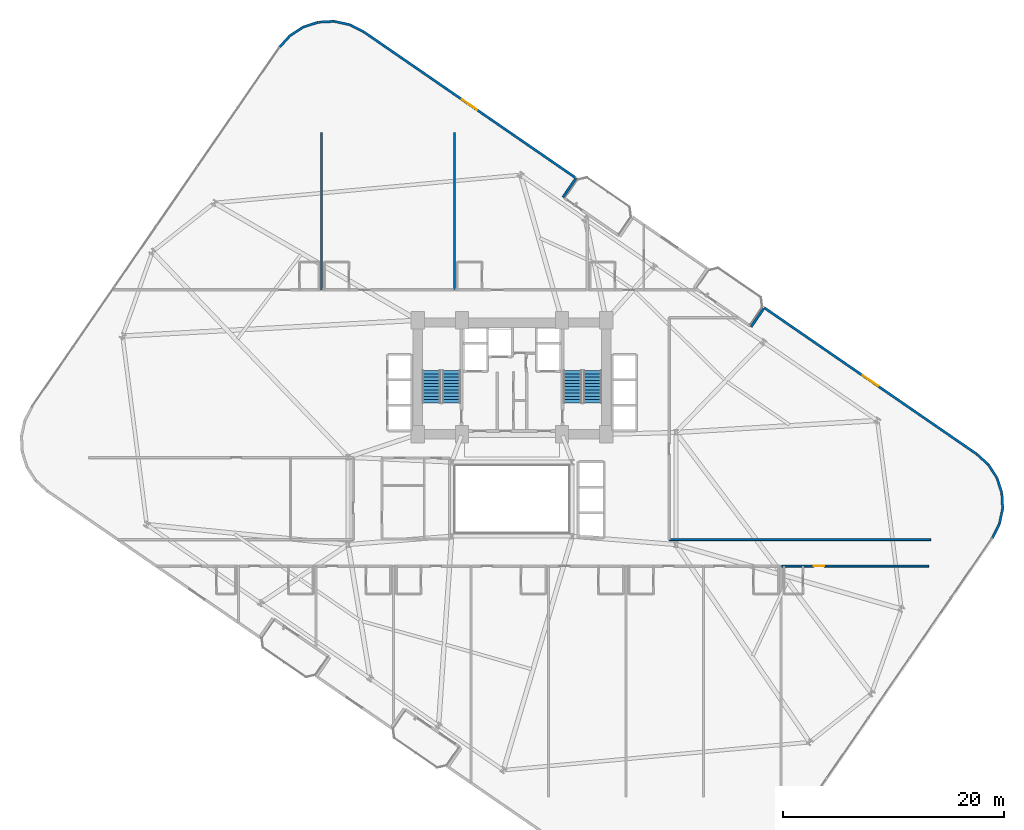
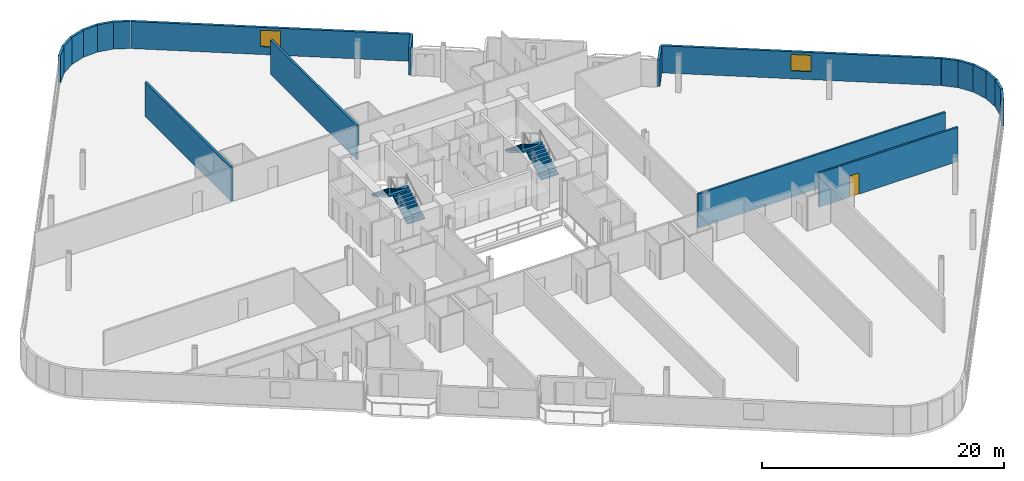
# One storey, part 21 of 25: 20 walls, 4 stair flights, 2 windows, 1 door, 3 openings, 2 elements without a shape of their own.
"""IFC4 building model written with IfcOpenShell, lengths in metres."""

from ifc_helpers import new_model, si_unit, direction, frame, frame_2d, origin, place, context, subcontext, project, spatial, polyline, rectangle, outline, extrude, material, layer, layer_set, type_object, element, fill, aggregate, save


model = new_model("IFC4")

# Units and contexts
model_context = context("Model", 3, precision=1e-05, world=origin(), true_north=direction((0.0, 1.0)))
body_context = subcontext(model_context, "Body", "Model", "MODEL_VIEW")
ifc_project = project(units=[si_unit("LENGTHUNIT", "METRE"), si_unit("AREAUNIT", "SQUARE_METRE"), si_unit("VOLUMEUNIT", "CUBIC_METRE"), si_unit("PLANEANGLEUNIT", "RADIAN"), si_unit("MASSUNIT", "GRAM", prefix="KILO")], contexts=[model_context])

# Site, building, storey
site_placement = place(None, origin())
site = spatial("IfcSite", under=ifc_project, at=site_placement, CompositionType="ELEMENT")
building_placement = place(site_placement, origin())
building = spatial("IfcBuilding", under=site, at=building_placement, Name="Varnelok Gate Tower", CompositionType="ELEMENT")
storey_placement = place(building_placement, frame((0.0, 0.0, 52.89990234375)))
storey = spatial("IfcBuildingStorey", under=building, at=storey_placement, Name="L12", CompositionType="ELEMENT", Elevation=52.89990234375)

# Walls
ifc_material_1 = material(Name="Concrete C45/55", Category="concrete")
ifc_layer_1 = layer(ifc_material_1, 0.219970703125)
ifc_layer_set_1 = layer_set([ifc_layer_1], Name="Concrete C45/55")
wall_type_1 = type_object("IfcWallType", Name="EW-BALC-220", PredefinedType="SOLIDWALL", material=ifc_layer_set_1)
wall_1_placement = place(storey_placement, frame((82.55810546875, 19.355224609375, 0.0), z_axis=(0.0, 0.0, 1.0), x_axis=(0.454777156549, 0.890605264908, 0.0)))
element("IfcWall", 1, at=wall_1_placement, inside=storey, type_object=wall_type_1, Name="L12 Perimeter Facade Closure Wall 20", PredefinedType="SOLIDWALL", context=body_context, shape_type="SweptSolid", body=[
    extrude(rectangle(XDim=1.43017578125, YDim=0.219970703125, at=frame_2d((0.715087890625, 0.0))), origin(), (0.0, 0.0, 1.0), 2.72998046875),
])
wall_2_placement = place(storey_placement, frame((83.2138671875, 20.653564453125, 0.0), z_axis=(0.0, 0.0, 1.0), x_axis=(0.208829011645, 0.977952168511, 0.0)))
element("IfcWall", 2, at=wall_2_placement, inside=storey, type_object=wall_type_1, Name="L12 Perimeter Facade Closure Wall 21", PredefinedType="SOLIDWALL", context=body_context, shape_type="SweptSolid", body=[
    extrude(rectangle(XDim=1.4052734375, YDim=0.219970703125, at=frame_2d((0.70263671875, 0.0))), origin(), (0.0, 0.0, 1.0), 2.72998046875),
])
wall_3_placement = place(storey_placement, frame((83.506103515625, 22.052734375, 0.0), z_axis=(0.0, 0.0, 1.0), x_axis=(-0.051245849735, 0.998686068234, 0.0)))
element("IfcWall", 3, at=wall_3_placement, inside=storey, type_object=wall_type_1, Name="L12 Perimeter Facade Closure Wall 22", PredefinedType="SOLIDWALL", context=body_context, shape_type="SweptSolid", body=[
    extrude(rectangle(XDim=1.405517578125, YDim=0.219970703125, at=frame_2d((0.70263671875, 0.0))), origin(), (0.0, 0.0, 1.0), 2.72998046875),
])
for number, where, z_axis, x_axis, name in (
    (4, (83.426513671875, 23.47998046875, 0.0), (0.0, 0.0, 1.0), (-0.308033059501, 0.951375653596, 0.0), "L12 Perimeter Facade Closure Wall 23"),
    (5, (82.97998046875, 24.837890625, 0.0), (0.0, 0.0, 1.0), (-0.543748195851, 0.839248413468, 0.0), "L12 Perimeter Facade Closure Wall 24"),
):
    element("IfcWall", number, at=place(storey_placement, frame(where, z_axis=z_axis, x_axis=x_axis)), inside=storey, type_object=wall_type_1, Name=name, PredefinedType="SOLIDWALL", context=body_context, shape_type="SweptSolid", body=[
        extrude(rectangle(XDim=1.4052734375, YDim=0.219970703125, at=frame_2d((0.70263671875, 0.0))), origin(), (0.0, 0.0, 1.0), 2.72998046875),
    ])
wall_4_placement = place(storey_placement, frame((82.197265625, 26.033935546875, 0.0), z_axis=(0.0, 0.0, 1.0), x_axis=(-0.742374254638, 0.669985422268, 0.0)))
element("IfcWall", 6, at=wall_4_placement, inside=storey, type_object=wall_type_1, Name="L12 Perimeter Facade Closure Wall 25", PredefinedType="SOLIDWALL", context=body_context, shape_type="SweptSolid", body=[
    extrude(rectangle(XDim=1.4130859375, YDim=0.219970703125, at=frame_2d((0.70654296875, 0.0))), origin(), (0.0, 0.0, 1.0), 2.72998046875),
])

# Wall, opening, window
wall_5_placement = place(storey_placement, frame((81.12744140625, 26.994873046875, 0.0), z_axis=(0.0, 0.0, 1.0), x_axis=(-0.823530169317, 0.567272474411, 0.0)))
wall_5 = element("IfcWall", 7, at=wall_5_placement, inside=storey, type_object=wall_type_1, Name="L12 Perimeter Facade Closure Wall 26", PredefinedType="SOLIDWALL", context=body_context, shape_type="SweptSolid", body=[
    extrude(rectangle(XDim=23.247314453125, YDim=0.219970703125, at=frame_2d((11.62353515625, 0.0))), origin(), (0.0, 0.0, 1.0), 2.72998046875),
])
opening_1_placement = place(wall_5_placement, frame((10.798583984375, 0.0, 0.800048828125)))
opening_1 = element("IfcOpeningElement", 8, at=opening_1_placement, cuts=wall_5, Name="Opening WN3", PredefinedType="OPENING", context=body_context, shape_type="SweptSolid", body=[
    extrude(rectangle(XDim=1.64990234375, YDim=1.64990234375, at=frame_2d((0.824951171875, 0.824951171875))), frame((0.0, 0.119873046875, 0.0), z_axis=(0.0, -1.0, 0.0), x_axis=(1.0, 0.0, 0.0)), (0.0, 0.0, 1.0), 0.239990234375),
])
ifc_material_2 = material(Name="Low-E Laminated Double Glazing IGU", Category="glass")
window_type = type_object("IfcWindowType", Name="WN-HTL-1650", PartitioningType="SINGLE_PANEL", PredefinedType="WINDOW", material=ifc_material_2)
window_1_placement = place(opening_1_placement, origin())
window_1 = element("IfcWindow", 9, at=window_1_placement, inside=storey, type_object=window_type, Name="L12 Perimeter Vision Window 26", OverallHeight=1.64990234375, OverallWidth=1.64990234375, PartitioningType="SINGLE_PANEL", PredefinedType="WINDOW", context=body_context, shape_type="SweptSolid", body=[
    extrude(rectangle(XDim=1.64990234375, YDim=1.64990234375, at=frame_2d((0.824951171875, 0.824951171875))), frame((0.0, 0.030029296875, 0.0), z_axis=(0.0, -1.0, 0.0), x_axis=(1.0, 0.0, 0.0)), (0.0, 0.0, 1.0), 0.06005859375),
])
fill(opening_1, window_1)

# Walls
wall_6_placement = place(storey_placement, frame((61.91162109375, 40.079345703125, 0.0), z_axis=(0.0, 0.0, 1.0), x_axis=(-0.567189720735, -0.82358716642, 0.0)))
element("IfcWall", 10, at=wall_6_placement, inside=storey, type_object=wall_type_1, Name="L12 Perimeter Facade Closure Wall 27", PredefinedType="SOLIDWALL", context=body_context, shape_type="SweptSolid", body=[
    extrude(rectangle(XDim=1.974853515625, YDim=0.219970703125, at=frame_2d((0.9873046875, 0.0))), origin(), (0.0, 0.0, 1.0), 2.72998046875),
])
wall_7_placement = place(storey_placement, frame((43.793701171875, 50.161376953125, 0.0), z_axis=(0.0, 0.0, 1.0), x_axis=(0.567352541689, 0.823475010816, 0.0)))
element("IfcWall", 11, at=wall_7_placement, inside=storey, type_object=wall_type_1, Name="L12 Perimeter Facade Closure Wall 31", PredefinedType="SOLIDWALL", context=body_context, shape_type="SweptSolid", body=[
    extrude(rectangle(XDim=2.099853515625, YDim=0.219970703125, at=frame_2d((1.0498046875, 0.0))), origin(), (0.0, 0.0, 1.0), 2.72998046875),
])

# Wall, opening, window
wall_8_placement = place(storey_placement, frame((44.882080078125, 51.961669921875, 0.0), z_axis=(0.0, 0.0, 1.0), x_axis=(-0.823534427573, 0.567266292497, 0.0)))
wall_8 = element("IfcWall", 12, at=wall_8_placement, inside=storey, type_object=wall_type_1, Name="L12 Perimeter Facade Closure Wall 32", PredefinedType="SOLIDWALL", context=body_context, shape_type="SweptSolid", body=[
    extrude(rectangle(XDim=23.147216796875, YDim=0.219970703125, at=frame_2d((11.57373046875, 0.0))), origin(), (0.0, 0.0, 1.0), 2.72998046875),
])
opening_2_placement = place(wall_8_placement, frame((10.74853515625, 0.0, 0.800048828125)))
opening_2 = element("IfcOpeningElement", 13, at=opening_2_placement, cuts=wall_8, Name="Opening WN3", PredefinedType="OPENING", context=body_context, shape_type="SweptSolid", body=[
    extrude(rectangle(XDim=1.64990234375, YDim=1.64990234375, at=frame_2d((0.824951171875, 0.824951171875))), frame((0.0, 0.119873046875, 0.0), z_axis=(0.0, -1.0, 0.0), x_axis=(1.0, 0.0, 0.0)), (0.0, 0.0, 1.0), 0.239990234375),
])
window_2_placement = place(opening_2_placement, origin())
window_2 = element("IfcWindow", 14, at=window_2_placement, inside=storey, type_object=window_type, Name="L12 Perimeter Vision Window 32", OverallHeight=1.64990234375, OverallWidth=1.64990234375, PartitioningType="SINGLE_PANEL", PredefinedType="WINDOW", context=body_context, shape_type="SweptSolid", body=[
    extrude(rectangle(XDim=1.64990234375, YDim=1.64990234375, at=frame_2d((0.824951171875, 0.824951171875))), frame((0.0, 0.030029296875, 0.0), z_axis=(0.0, -1.0, 0.0), x_axis=(1.0, 0.0, 0.0)), (0.0, 0.0, 1.0), 0.06005859375),
])
fill(opening_2, window_2)

# Walls
wall_9_placement = place(storey_placement, frame((25.79736328125, 65.103759765625, 0.0), z_axis=(0.0, 0.0, 1.0), x_axis=(-0.890559109247, 0.454867533394, 0.0)))
element("IfcWall", 15, at=wall_9_placement, inside=storey, type_object=wall_type_1, Name="L12 Perimeter Facade Closure Wall 33", PredefinedType="SOLIDWALL", context=body_context, shape_type="SweptSolid", body=[
    extrude(rectangle(XDim=1.4130859375, YDim=0.219970703125, at=frame_2d((0.70654296875, 0.0))), origin(), (0.0, 0.0, 1.0), 2.72998046875),
])
for number, where, z_axis, x_axis, name in (
    (16, (24.514404296875, 65.751953125, 0.0), (0.0, 0.0, 1.0), (-0.977952168511, 0.208829011645, 0.0), "L12 Perimeter Facade Closure Wall 34"),
    (17, (23.114990234375, 66.044189453125, 0.0), (0.0, 0.0, 1.0), (-0.998685611917, -0.051254741739, 0.0), "L12 Perimeter Facade Closure Wall 35"),
    (18, (21.68798828125, 65.96435546875, 0.0), (0.0, 0.0, 1.0), (-0.951375653596, -0.308033059501, 0.0), "L12 Perimeter Facade Closure Wall 36"),
    (19, (20.330078125, 65.517822265625, 0.0), (0.0, 0.0, 1.0), (-0.839327688057, -0.543625819899, 0.0), "L12 Perimeter Facade Closure Wall 37"),
    (20, (19.1337890625, 64.735107421875, 0.0), (0.0, 0.0, 1.0), (-0.669952842826, -0.742403655964, 0.0), "L12 Perimeter Facade Closure Wall 38"),
):
    element("IfcWall", number, at=place(storey_placement, frame(where, z_axis=z_axis, x_axis=x_axis)), inside=storey, type_object=wall_type_1, Name=name, PredefinedType="SOLIDWALL", context=body_context, shape_type="SweptSolid", body=[
        extrude(rectangle(XDim=1.4052734375, YDim=0.219970703125, at=frame_2d((0.70263671875, 0.0))), origin(), (0.0, 0.0, 1.0), 2.72998046875),
    ])

# Wall, opening, door
ifc_material_3 = material(Name="Gypsum Plasterboard Acoustic Partition", Category="gypsum")
ifc_layer_2 = layer(ifc_material_3, 0.179931640625)
ifc_layer_set_2 = layer_set([ifc_layer_2], Name="Gypsum Plasterboard Acoustic Partition")
wall_type_2 = type_object("IfcWallType", Name="PW-CORR-180", PredefinedType="PARTITIONING", material=ifc_layer_set_2)
wall_10_placement = place(storey_placement, frame((63.580078125, 16.85009765625, 0.0), z_axis=(0.0, 0.0, 1.0), x_axis=(1.0, 0.0, 0.0)))
wall_10 = element("IfcWall", 21, at=wall_10_placement, inside=storey, type_object=wall_type_2, Name="Interior Partition", PredefinedType="PARTITIONING", context=body_context, shape_type="SweptSolid", body=[
    extrude(rectangle(XDim=13.239990234375, YDim=0.179931640625, at=frame_2d((6.6201171875, 0.0))), origin(), (0.0, 0.0, 1.0), 3.4501953125),
])
opening_3_placement = place(wall_10_placement, frame((2.86083984375, 0.0, 0.0)))
opening_3 = element("IfcOpeningElement", 22, at=opening_3_placement, cuts=wall_10, Name="Opening D-HT", PredefinedType="OPENING", context=body_context, shape_type="SweptSolid", body=[
    extrude(rectangle(XDim=0.949951171875, YDim=2.14990234375, at=frame_2d((0.47509765625, 1.074951171875))), frame((0.0, 0.099853515625, 0.0), z_axis=(0.0, -1.0, 0.0), x_axis=(1.0, 0.0, 0.0)), (0.0, 0.0, 1.0), 0.199951171875),
])
ifc_material_4 = material(Name="Engineered Hardwood Timber", Category="wood")
door_type = type_object("IfcDoorType", Name="DR-HTL-950", OperationType="NOTDEFINED", PredefinedType="DOOR", material=ifc_material_4)
door_placement = place(opening_3_placement, origin())
door = element("IfcDoor", 23, at=door_placement, inside=storey, type_object=door_type, Name="L12 Guest Room 09 Entrance Door", OperationType="SINGLE_SWING_RIGHT", OverallHeight=2.14990234375, OverallWidth=0.949951171875, PredefinedType="DOOR", context=body_context, shape_type="SweptSolid", body=[
    extrude(rectangle(XDim=0.949951171875, YDim=2.14990234375, at=frame_2d((0.47509765625, 1.074951171875))), frame((0.0, 0.02490234375, 0.0), z_axis=(0.0, -1.0, 0.0), x_axis=(1.0, 0.0, 0.0)), (0.0, 0.0, 1.0), 0.050048828125),
])
fill(opening_3, door)

# Walls
wall_11_placement = place(storey_placement, frame((53.389892578125, 19.239990234375, 0.0), z_axis=(0.0, 0.0, 1.0), x_axis=(1.0, 0.0, 0.0)))
element("IfcWall", 24, at=wall_11_placement, inside=storey, type_object=wall_type_2, Name="Interior Partition", PredefinedType="PARTITIONING", context=body_context, shape_type="SweptSolid", body=[
    extrude(rectangle(XDim=23.610107421875, YDim=0.179931640625, at=frame_2d((11.80517578125, 0.0))), origin(), (0.0, 0.0, 1.0), 3.4501953125),
])
ifc_layer_3 = layer(ifc_material_3, 0.205078125)
ifc_layer_set_3 = layer_set([ifc_layer_3], Name="Gypsum Plasterboard Acoustic Partition")
wall_type_3 = type_object("IfcWallType", Name="PW-PARTY-200", PredefinedType="PARTITIONING", material=ifc_layer_set_3)
for number, where, z_axis, x_axis, name in (
    (25, (22.0, 41.800048828125, 0.0), (0.0, 0.0, 1.0), (0.0, 1.0, 0.0), "L12 North Party Wall 1"),
    (26, (34.0, 41.800048828125, 0.0), (0.0, 0.0, 1.0), (0.0, 1.0, 0.0), "L12 North Party Wall 2"),
):
    element("IfcWall", number, at=place(storey_placement, frame(where, z_axis=z_axis, x_axis=x_axis)), inside=storey, type_object=wall_type_3, Name=name, PredefinedType="PARTITIONING", context=body_context, shape_type="SweptSolid", body=[
        extrude(rectangle(XDim=14.199951171875, YDim=0.205078125, at=frame_2d((7.10009765625, 0.0))), origin(), (0.0, 0.0, 1.0), 3.4501953125),
    ])

# Stair, stair flights
ifc_material_5 = material(Name="Concrete C50/60", Category="concrete")
stair_type = type_object("IfcStairType", Name="STR-CORE-1650", PredefinedType="HALF_TURN_STAIR", material=ifc_material_5)
stair_1_placement = place(storey_placement, origin())
stair_1 = element("IfcStair", 27, at=stair_1_placement, inside=storey, type_object=stair_type, Name="L12 Exit Stair ST-1", PredefinedType="HALF_TURN_STAIR")
stair_flight_type = type_object("IfcStairFlightType", Name="SFL-CORE-1650", PredefinedType="STRAIGHT", material=ifc_material_5)
stair_flight_1_placement = place(storey_placement, frame((33.72509765625, 31.60009765625, 0.0), z_axis=(0.0, 0.0, 1.0), x_axis=(0.0, 1.0, 0.0)))
stair_flight_1 = element("IfcStairFlight", 28, at=stair_flight_1_placement, type_object=stair_flight_type, Name="ST-1 flight 1", NumberOfRisers=11, NumberOfTreads=10, PredefinedType="STRAIGHT", RiserHeight=0.168181818, TreadLength=0.29, context=body_context, shape_type="SweptSolid", body=[
    extrude(outline(polyline([(0.0, 0.0), (0.0, 0.168212890625), (0.2900390625, 0.168212890625), (0.2900390625, 0.33642578125), (0.580078125, 0.33642578125), (0.580078125, 0.504638671875), (0.8701171875, 0.504638671875), (0.8701171875, 0.672607421875), (1.159912109375, 0.672607421875), (1.159912109375, 0.8408203125), (1.449951171875, 0.8408203125), (1.449951171875, 1.009033203125), (1.739990234375, 1.009033203125), (1.739990234375, 1.17724609375), (2.030029296875, 1.17724609375), (2.030029296875, 1.345458984375), (2.320068359375, 1.345458984375), (2.320068359375, 1.513671875), (2.610107421875, 1.513671875), (2.610107421875, 1.681884765625), (2.89990234375, 1.681884765625), (2.89990234375, 1.85009765625), (2.89990234375, 1.508544921875), (0.298828125, 0.0), (0.0, 0.0)])), frame((0.0, 0.824951171875, 0.0), z_axis=(0.0, -1.0, 0.0), x_axis=(1.0, 0.0, 0.0)), (0.0, 0.0, 1.0), 1.64990234375),
])
stair_flight_2_placement = place(storey_placement, frame((31.925048828125, 34.5, 1.85009765625), z_axis=(0.0, 0.0, 1.0), x_axis=(0.0, -1.0, 0.0)))
stair_flight_2 = element("IfcStairFlight", 29, at=stair_flight_2_placement, type_object=stair_flight_type, Name="ST-1 flight 2", NumberOfRisers=11, NumberOfTreads=10, PredefinedType="STRAIGHT", RiserHeight=0.168181818, TreadLength=0.29, context=body_context, shape_type="SweptSolid", body=[
    extrude(outline(polyline([(0.0, 0.0), (0.0, 0.168212890625), (0.2900390625, 0.168212890625), (0.2900390625, 0.33642578125), (0.580078125, 0.33642578125), (0.580078125, 0.504638671875), (0.8701171875, 0.504638671875), (0.8701171875, 0.672607421875), (1.159912109375, 0.672607421875), (1.159912109375, 0.8408203125), (1.449951171875, 0.8408203125), (1.449951171875, 1.009033203125), (1.739990234375, 1.009033203125), (1.739990234375, 1.17724609375), (2.030029296875, 1.17724609375), (2.030029296875, 1.345458984375), (2.320068359375, 1.345458984375), (2.320068359375, 1.513671875), (2.610107421875, 1.513671875), (2.610107421875, 1.681884765625), (2.89990234375, 1.681884765625), (2.89990234375, 1.85009765625), (2.89990234375, 1.508544921875), (0.298828125, 0.0), (0.0, 0.0)])), frame((0.0, 0.824951171875, 0.0), z_axis=(0.0, -1.0, 0.0), x_axis=(1.0, 0.0, 0.0)), (0.0, 0.0, 1.0), 1.64990234375),
])
aggregate(stair_1, [stair_flight_1, stair_flight_2])

stair_2_placement = place(storey_placement, origin())
stair_2 = element("IfcStair", 30, at=stair_2_placement, inside=storey, type_object=stair_type, Name="L12 Exit Stair ST-2", PredefinedType="HALF_TURN_STAIR")
stair_flight_3_placement = place(storey_placement, frame((46.47509765625, 31.60009765625, 0.0), z_axis=(0.0, 0.0, 1.0), x_axis=(0.0, 1.0, 0.0)))
stair_flight_3 = element("IfcStairFlight", 31, at=stair_flight_3_placement, type_object=stair_flight_type, Name="ST-2 flight 1", NumberOfRisers=11, NumberOfTreads=10, PredefinedType="STRAIGHT", RiserHeight=0.168181818, TreadLength=0.29, context=body_context, shape_type="SweptSolid", body=[
    extrude(outline(polyline([(0.0, 0.0), (0.0, 0.168212890625), (0.2900390625, 0.168212890625), (0.2900390625, 0.33642578125), (0.580078125, 0.33642578125), (0.580078125, 0.504638671875), (0.8701171875, 0.504638671875), (0.8701171875, 0.672607421875), (1.159912109375, 0.672607421875), (1.159912109375, 0.8408203125), (1.449951171875, 0.8408203125), (1.449951171875, 1.009033203125), (1.739990234375, 1.009033203125), (1.739990234375, 1.17724609375), (2.030029296875, 1.17724609375), (2.030029296875, 1.345458984375), (2.320068359375, 1.345458984375), (2.320068359375, 1.513671875), (2.610107421875, 1.513671875), (2.610107421875, 1.681884765625), (2.89990234375, 1.681884765625), (2.89990234375, 1.85009765625), (2.89990234375, 1.508544921875), (0.298828125, 0.0), (0.0, 0.0)])), frame((0.0, 0.824951171875, 0.0), z_axis=(0.0, -1.0, 0.0), x_axis=(1.0, 0.0, 0.0)), (0.0, 0.0, 1.0), 1.64990234375),
])
stair_flight_4_placement = place(storey_placement, frame((44.675048828125, 34.5, 1.85009765625), z_axis=(0.0, 0.0, 1.0), x_axis=(0.0, -1.0, 0.0)))
stair_flight_4 = element("IfcStairFlight", 32, at=stair_flight_4_placement, type_object=stair_flight_type, Name="ST-2 flight 2", NumberOfRisers=11, NumberOfTreads=10, PredefinedType="STRAIGHT", RiserHeight=0.168181818, TreadLength=0.29, context=body_context, shape_type="SweptSolid", body=[
    extrude(outline(polyline([(0.0, 0.0), (0.0, 0.168212890625), (0.2900390625, 0.168212890625), (0.2900390625, 0.33642578125), (0.580078125, 0.33642578125), (0.580078125, 0.504638671875), (0.8701171875, 0.504638671875), (0.8701171875, 0.672607421875), (1.159912109375, 0.672607421875), (1.159912109375, 0.8408203125), (1.449951171875, 0.8408203125), (1.449951171875, 1.009033203125), (1.739990234375, 1.009033203125), (1.739990234375, 1.17724609375), (2.030029296875, 1.17724609375), (2.030029296875, 1.345458984375), (2.320068359375, 1.345458984375), (2.320068359375, 1.513671875), (2.610107421875, 1.513671875), (2.610107421875, 1.681884765625), (2.89990234375, 1.681884765625), (2.89990234375, 1.85009765625), (2.89990234375, 1.508544921875), (0.298828125, 0.0), (0.0, 0.0)])), frame((0.0, 0.824951171875, 0.0), z_axis=(0.0, -1.0, 0.0), x_axis=(1.0, 0.0, 0.0)), (0.0, 0.0, 1.0), 1.64990234375),
])
aggregate(stair_2, [stair_flight_3, stair_flight_4])

save(model, "model.ifc")
